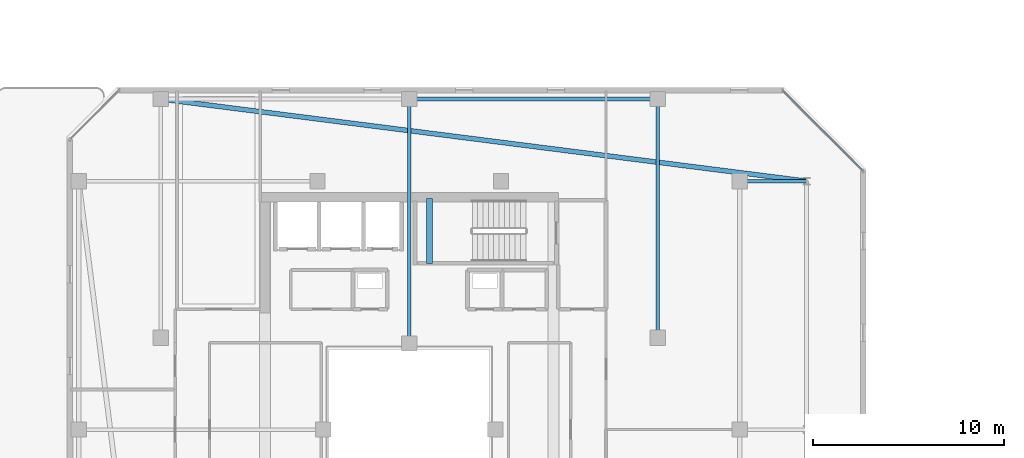
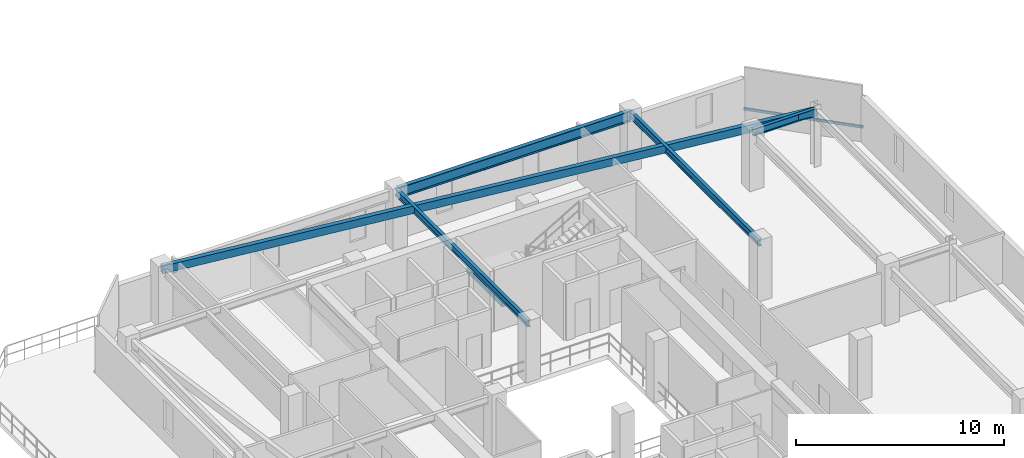
# One storey, part 8 of 31: 6 beams, 1 member, 1 element without a shape of its own.
"""IFC4 building model written with IfcOpenShell, lengths in metres."""

from ifc_helpers import new_model, si_unit, direction, frame, origin, origin_2d, place, context, subcontext, project, spatial, rectangle, hollow_rectangle, i_section, extrude, material, material_profile, profile_set, type_object, element, aggregate, save


model = new_model("IFC4")

# Units and contexts
model_context = context("Model", 3, precision=1e-05, world=origin(), true_north=direction((0.0, 1.0)))
body_context = subcontext(model_context, "Body", "Model", "MODEL_VIEW")
ifc_project = project(units=[si_unit("LENGTHUNIT", "METRE"), si_unit("AREAUNIT", "SQUARE_METRE"), si_unit("VOLUMEUNIT", "CUBIC_METRE"), si_unit("PLANEANGLEUNIT", "RADIAN"), si_unit("MASSUNIT", "GRAM", prefix="KILO")], contexts=[model_context])

# Site, building, storey
site_placement = place(None, origin())
site = spatial("IfcSite", under=ifc_project, at=site_placement, CompositionType="ELEMENT")
building_placement = place(site_placement, origin())
building = spatial("IfcBuilding", under=site, at=building_placement, Name="Thornwick Lancets Civic Towers", CompositionType="ELEMENT")
storey_placement = place(building_placement, frame((0.0, 0.0, 254.699951171875)))
storey = spatial("IfcBuildingStorey", under=building, at=storey_placement, Name="L68", CompositionType="ELEMENT", Elevation=254.699951171875)

# Beams
ifc_material_1 = material(Name="Steel S355JR", Category="steel")
ifc_material_profile_1 = material_profile(ifc_material_1, i_section(OverallWidth=0.230224609375, OverallDepth=0.6171875, WebThickness=0.01318359375, FlangeThickness=0.022216796875, FilletRadius=0.0126953125, at=origin_2d()), Name="UKB 610x229x140")
ifc_profile_set_1 = profile_set([ifc_material_profile_1], Name="Steel S355JR")
beam_type_1 = type_object("IfcBeamType", Name="BM_GIRD_610_140", PredefinedType="BEAM", material=ifc_profile_set_1)
beam_1_placement = place(storey_placement, frame((25.580078125, 44.300048828125, 3.031494140625), z_axis=(1.0, 0.0, 0.0), x_axis=(0.0, 1.0, 0.0)))
element("IfcBeam", 1, at=beam_1_placement, inside=storey, type_object=beam_type_1, Name="BM-SPINE-L68-A-7-8", PredefinedType="BEAM", context=body_context, shape_type="SweptSolid", body=[
    extrude(i_section(OverallWidth=0.230224609375, OverallDepth=0.6171875, WebThickness=0.01318359375, FlangeThickness=0.022216796875, FilletRadius=0.0126953125, at=origin_2d()), origin(), (0.0, 0.0, 1.0), 12.919921875),
])
ifc_material_profile_2 = material_profile(ifc_material_1, i_section(OverallWidth=0.179443359375, OverallDepth=0.412841796875, WebThickness=0.009521484375, FlangeThickness=0.01611328125, FilletRadius=0.01025390625, at=origin_2d()), Name="UKB 406x178x74")
ifc_profile_set_2 = profile_set([ifc_material_profile_2], Name="Steel S355JR")
beam_type_2 = type_object("IfcBeamType", Name="BM_JOIST_406_74", PredefinedType="JOIST", material=ifc_profile_set_2)
beam_2_placement = place(storey_placement, frame((42.800048828125, 40.0, 3.133544921875), z_axis=(1.0, 0.0, 0.0), x_axis=(0.0, 1.0, 0.0)))
element("IfcBeam", 2, at=beam_2_placement, inside=storey, type_object=beam_type_2, Name="BM-RAD-L68-A06", PredefinedType="JOIST", context=body_context, shape_type="SweptSolid", body=[
    extrude(i_section(OverallWidth=0.179443359375, OverallDepth=0.412841796875, WebThickness=0.009521484375, FlangeThickness=0.01611328125, FilletRadius=0.01025390625, at=origin_2d()), origin(), (0.0, 0.0, 1.0), 3.5),
])
beam_3_placement = place(storey_placement, frame((25.5, 31.5, 3.133544921875), z_axis=(0.0, 1.0, 0.0), x_axis=(-1.0, 0.0, 0.0)))
element("IfcBeam", 3, at=beam_3_placement, inside=storey, type_object=beam_type_2, Name="BM-RADIN-L68-A08", PredefinedType="JOIST", context=body_context, shape_type="SweptSolid", body=[
    extrude(i_section(OverallWidth=0.179443359375, OverallDepth=0.412841796875, WebThickness=0.009521484375, FlangeThickness=0.01611328125, FilletRadius=0.01025390625, at=origin_2d()), origin(), (0.0, 0.0, 1.0), 12.800048828125),
])
beam_4_placement = place(storey_placement, frame((38.5, 31.800048828125, 3.133544921875), z_axis=(0.0, 1.0, 0.0), x_axis=(-1.0, 0.0, 0.0)))
element("IfcBeam", 4, at=beam_4_placement, inside=storey, type_object=beam_type_2, Name="BM-RADIN-L68-A09", PredefinedType="JOIST", context=body_context, shape_type="SweptSolid", body=[
    extrude(i_section(OverallWidth=0.179443359375, OverallDepth=0.412841796875, WebThickness=0.009521484375, FlangeThickness=0.01611328125, FilletRadius=0.01025390625, at=origin_2d()), origin(), (0.0, 0.0, 1.0), 12.5),
])
ifc_material_profile_3 = material_profile(ifc_material_1, hollow_rectangle(XDim=0.25, YDim=0.449951171875, WallThickness=0.01611328125, at=origin_2d()), Name="RHS 450x250x16")
ifc_profile_set_3 = profile_set([ifc_material_profile_3], Name="Steel S355JR")
beam_type_3 = type_object("IfcBeamType", Name="BM_RING_RHS450", PredefinedType="BEAM", material=ifc_profile_set_3)
beam_5_placement = place(storey_placement, frame((46.300048828125, 40.0, 3.114990234375), z_axis=(-0.992004437051, 0.126202998662, 0.0), x_axis=(-0.126202998662, -0.992004437051, 0.0)))
element("IfcBeam", 5, at=beam_5_placement, inside=storey, type_object=beam_type_3, Name="BM-CHAMF-L68-A-C1", PredefinedType="BEAM", context=body_context, shape_type="SweptSolid", body=[
    extrude(hollow_rectangle(XDim=0.25, YDim=0.449951171875, WallThickness=0.01611328125, at=origin_2d()), origin(), (0.0, 0.0, 1.0), 34.072509765625),
])
ifc_material_2 = material(Name="Concrete C40/50", Category="concrete")
ifc_material_profile_4 = material_profile(ifc_material_2, rectangle(XDim=0.300048828125, YDim=0.35009765625, at=origin_2d()), Name="RC 300x350")
ifc_profile_set_4 = profile_set([ifc_material_profile_4], Name="Concrete C40/50")
beam_type_4 = type_object("IfcBeamType", Name="BM_STAIR_LDG", PredefinedType="BEAM", material=ifc_profile_set_4)
beam_6_placement = place(storey_placement, frame((26.56494140625, 39.10009765625, 1.3779296875), z_axis=(0.0, -1.0, 0.0), x_axis=(1.0, 0.0, 0.0)))
element("IfcBeam", 6, at=beam_6_placement, inside=storey, type_object=beam_type_4, Name="L68 ST-A2 Landing Support Beam 1", PredefinedType="BEAM", context=body_context, shape_type="SweptSolid", body=[
    extrude(rectangle(XDim=0.300048828125, YDim=0.35009765625, at=origin_2d()), origin(), (0.0, 0.0, 1.0), 3.400146484375),
])

# Curtain wall, member
ifc_material_3 = material(Name="High-zone chamfered-corner unitised glass curtain wall", Category="glass")
curtain_wall_type = type_object("IfcCurtainWallType", Name="CW_SYS_05", PredefinedType="NOTDEFINED", material=ifc_material_3)
curtain_wall_placement = place(storey_placement, origin())
curtain_wall = element("IfcCurtainWall", 7, at=curtain_wall_placement, inside=storey, type_object=curtain_wall_type, Name="L68 Curtain Wall CW-L68-A-E3", PredefinedType="NOTDEFINED")
ifc_material_4 = material(Name="Thermally broken bronze aluminium S355", Category="steel")
ifc_material_profile_5 = material_profile(ifc_material_4, hollow_rectangle(XDim=0.074951171875, YDim=0.14990234375, WallThickness=0.0048828125, at=origin_2d()), Name="RHS 150x75x5")
ifc_profile_set_5 = profile_set([ifc_material_profile_5], Name="Thermally broken bronze aluminium S355")
member_type = type_object("IfcMemberType", Name="CW_TRN_150", PredefinedType="USERDEFINED", material=ifc_profile_set_5)
member_placement = place(storey_placement, frame((49.2451171875, 40.5400390625, 0.85009765625), z_axis=(-0.707106781187, 0.707106781187, 0.0), x_axis=(-0.707106781187, -0.707106781187, 0.0)))
member = element("IfcMember", 8, at=member_placement, type_object=member_type, Name="CW-L68-A-E3 Transom 0", ObjectType="TRANSOM", PredefinedType="USERDEFINED", context=body_context, shape_type="SweptSolid", body=[
    extrude(hollow_rectangle(XDim=0.074951171875, YDim=0.14990234375, WallThickness=0.0048828125, at=origin_2d()), origin(), (0.0, 0.0, 1.0), 5.94677734375),
])
aggregate(curtain_wall, [member])

save(model, "model.ifc")
